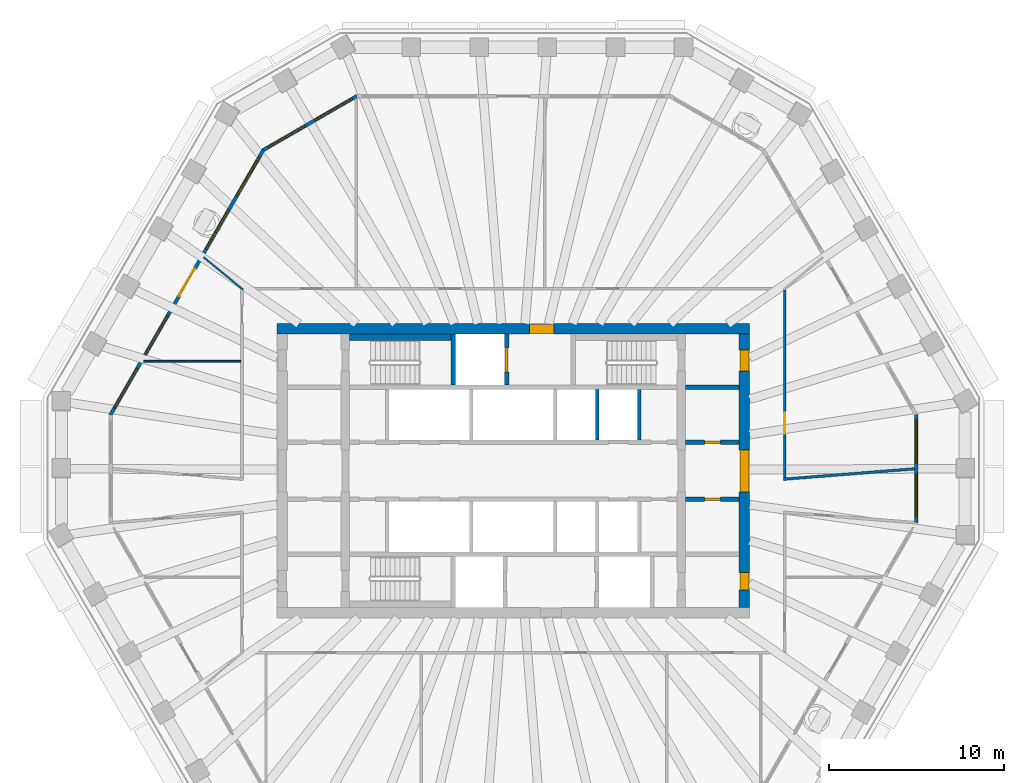
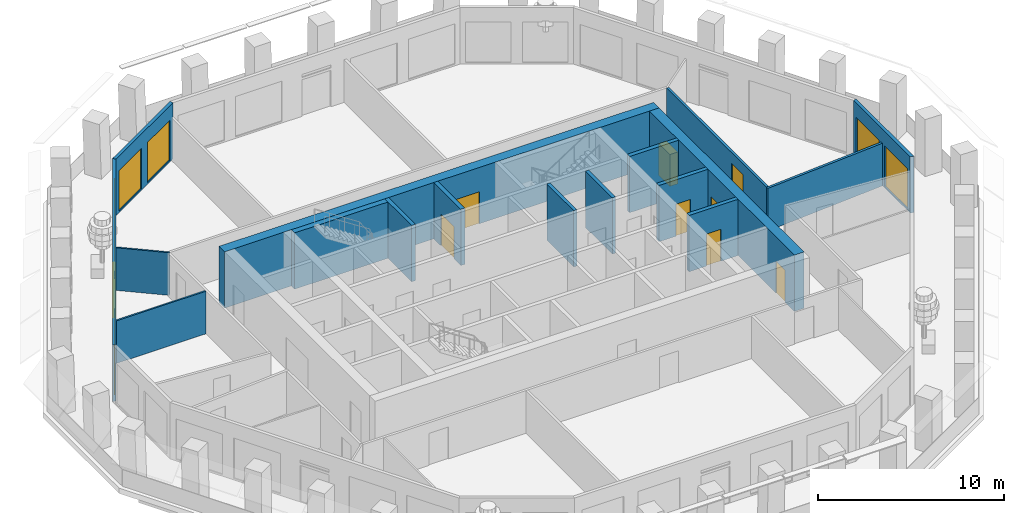
# One storey, part 6 of 12: 17 walls, 9 doors, 9 windows, 18 openings.
"""IFC4 building model written with IfcOpenShell, lengths in metres."""

from ifc_helpers import new_model, si_unit, direction, frame, frame_2d, origin, place, context, subcontext, project, spatial, polyline, rectangle, outline, extrude, material, layer, layer_set, type_object, element, fill, save


model = new_model("IFC4")

# Units and contexts
model_context = context("Model", 3, precision=1e-05, world=origin(), true_north=direction((0.0, 1.0)))
body_context = subcontext(model_context, "Body", "Model", "MODEL_VIEW")
ifc_project = project(units=[si_unit("LENGTHUNIT", "METRE"), si_unit("AREAUNIT", "SQUARE_METRE"), si_unit("VOLUMEUNIT", "CUBIC_METRE"), si_unit("PLANEANGLEUNIT", "RADIAN"), si_unit("MASSUNIT", "GRAM", prefix="KILO")], contexts=[model_context])

# Site, building, storey
site_placement = place(None, origin())
site = spatial("IfcSite", under=ifc_project, at=site_placement, CompositionType="ELEMENT")
building_placement = place(site_placement, origin())
building = spatial("IfcBuilding", under=site, at=building_placement, Name="Frailejon Research Tower", CompositionType="ELEMENT")
storey_placement = place(building_placement, frame((0.0, 0.0, 215.39990234375)))
storey = spatial("IfcBuildingStorey", under=building, at=storey_placement, Name="L46", CompositionType="ELEMENT", Elevation=215.39990234375)

# Wall, opening, door
ifc_material_1 = material(Name="Concrete C60/75", Category="concrete")
ifc_layer_1 = layer(ifc_material_1, 0.60009765625)
ifc_layer_set_1 = layer_set([ifc_layer_1], Name="Core shear wall 600 C60/75")
wall_type_1 = type_object("IfcWallType", Name="Core shear wall 600 C60/75", PredefinedType="SHEAR", material=ifc_layer_set_1)
wall_1_placement = place(storey_placement, frame((-13.5, 8.10009765625, 0.0), z_axis=(0.0, 0.0, 1.0), x_axis=(1.0, 0.0, 0.0)))
wall_1 = element("IfcWall", 1, at=wall_1_placement, inside=storey, type_object=wall_type_1, Name="Core shear wall", PredefinedType="SHEAR", context=body_context, shape_type="SweptSolid", body=[
    extrude(rectangle(XDim=27.0, YDim=0.60009765625, at=frame_2d((13.5, 0.0))), origin(), (0.0, 0.0, 1.0), 3.7001953125),
])
opening_1_placement = place(wall_1_placement, frame((14.425048828125, 0.0, 0.0)))
opening_1 = element("IfcOpeningElement", 2, at=opening_1_placement, cuts=wall_1, Name="Opening D9", PredefinedType="OPENING", context=body_context, shape_type="SweptSolid", body=[
    extrude(rectangle(XDim=1.39990234375, YDim=2.10009765625, at=frame_2d((0.699951171875, 1.050048828125))), frame((0.0, 0.31005859375, 0.0), z_axis=(0.0, -1.0, 0.0), x_axis=(1.0, 0.0, 0.0)), (0.0, 0.0, 1.0), 0.6201171875),
])
ifc_material_2 = material(Name="Steel", Category="steel")
door_type_1 = type_object("IfcDoorType", Name="Goods lobby door", OperationType="DOUBLE_DOOR_SINGLE_SWING", PredefinedType="DOOR", material=ifc_material_2)
door_1_placement = place(opening_1_placement, origin())
door_1 = element("IfcDoor", 3, at=door_1_placement, inside=storey, type_object=door_type_1, Name="Goods lobby door", OperationType="DOUBLE_DOOR_SINGLE_SWING", OverallHeight=2.10009765625, OverallWidth=1.39990234375, PredefinedType="DOOR", context=body_context, shape_type="SweptSolid", body=[
    extrude(rectangle(XDim=1.39990234375, YDim=2.10009765625, at=frame_2d((0.699951171875, 1.050048828125))), frame((0.0, 0.25, 0.0), z_axis=(0.0, -1.0, 0.0), x_axis=(1.0, 0.0, 0.0)), (0.0, 0.0, 1.0), 0.5),
])
fill(opening_1, door_1)

# Wall, openings, doors
wall_2_placement = place(storey_placement, frame((13.199951171875, -7.800048828125, 0.0), z_axis=(0.0, 0.0, 1.0), x_axis=(0.0, 1.0, 0.0)))
wall_2 = element("IfcWall", 4, at=wall_2_placement, inside=storey, type_object=wall_type_1, Name="Core shear wall", PredefinedType="SHEAR", context=body_context, shape_type="SweptSolid", body=[
    extrude(rectangle(XDim=15.60009765625, YDim=0.60009765625, at=frame_2d((7.800048828125, 0.0))), origin(), (0.0, 0.0, 1.0), 3.7001953125),
])
opening_2_placement = place(wall_2_placement, frame((6.60009765625, 0.0, 0.0)))
opening_2 = element("IfcOpeningElement", 5, at=opening_2_placement, cuts=wall_2, Name="Opening D2", PredefinedType="OPENING", context=body_context, shape_type="SweptSolid", body=[
    extrude(rectangle(XDim=2.39990234375, YDim=2.10009765625, at=frame_2d((1.199951171875, 1.050048828125))), frame((0.0, 0.31005859375, 0.0), z_axis=(0.0, -1.0, 0.0), x_axis=(1.0, 0.0, 0.0)), (0.0, 0.0, 1.0), 0.6201171875),
])
opening_3_placement = place(wall_2_placement, frame((13.5, 0.0, 0.0)))
opening_3 = element("IfcOpeningElement", 6, at=opening_3_placement, cuts=wall_2, Name="Opening D7", PredefinedType="OPENING", context=body_context, shape_type="SweptSolid", body=[
    extrude(rectangle(XDim=1.199951171875, YDim=2.10009765625, at=frame_2d((0.60009765625, 1.050048828125))), frame((0.0, 0.31005859375, 0.0), z_axis=(0.0, -1.0, 0.0), x_axis=(1.0, 0.0, 0.0)), (0.0, 0.0, 1.0), 0.6201171875),
])
opening_4_placement = place(wall_2_placement, frame((1.0, 0.0, 0.0)))
opening_4 = element("IfcOpeningElement", 7, at=opening_4_placement, cuts=wall_2, Name="Opening D4", PredefinedType="OPENING", context=body_context, shape_type="SweptSolid", body=[
    extrude(rectangle(XDim=1.0, YDim=2.10009765625, at=frame_2d((0.5, 1.050048828125))), frame((0.0, 0.31005859375, 0.0), z_axis=(0.0, -1.0, 0.0), x_axis=(1.0, 0.0, 0.0)), (0.0, 0.0, 1.0), 0.6201171875),
])
ifc_material_3 = material(Name="Steel", Category="steel")
door_type_2 = type_object("IfcDoorType", Name="Lobby double door", OperationType="DOUBLE_DOOR_SINGLE_SWING", PredefinedType="DOOR", material=ifc_material_3)
door_2_placement = place(opening_2_placement, origin())
door_2 = element("IfcDoor", 8, at=door_2_placement, inside=storey, type_object=door_type_2, Name="Lobby door", OperationType="DOUBLE_DOOR_SINGLE_SWING", OverallHeight=2.10009765625, OverallWidth=2.39990234375, PredefinedType="DOOR", context=body_context, shape_type="SweptSolid", body=[
    extrude(rectangle(XDim=2.39990234375, YDim=2.10009765625, at=frame_2d((1.199951171875, 1.050048828125))), frame((0.0, 0.25, 0.0), z_axis=(0.0, -1.0, 0.0), x_axis=(1.0, 0.0, 0.0)), (0.0, 0.0, 1.0), 0.5),
])
fill(opening_2, door_2)
ifc_material_4 = material(Name="Steel", Category="steel")
door_type_3 = type_object("IfcDoorType", Name="Service door", OperationType="SINGLE_SWING_LEFT", PredefinedType="DOOR", material=ifc_material_4)
door_3_placement = place(opening_4_placement, origin())
door_3 = element("IfcDoor", 9, at=door_3_placement, inside=storey, type_object=door_type_3, Name="Store door", OperationType="SINGLE_SWING_LEFT", OverallHeight=2.10009765625, OverallWidth=1.0, PredefinedType="DOOR", context=body_context, shape_type="SweptSolid", body=[
    extrude(rectangle(XDim=1.0, YDim=2.10009765625, at=frame_2d((0.5, 1.050048828125))), frame((0.0, 0.25, 0.0), z_axis=(0.0, -1.0, 0.0), x_axis=(1.0, 0.0, 0.0)), (0.0, 0.0, 1.0), 0.5),
])
fill(opening_4, door_3)
ifc_material_5 = material(Name="Steel", Category="steel")
door_type_4 = type_object("IfcDoorType", Name="Stair exit door", OperationType="SINGLE_SWING_LEFT", PredefinedType="DOOR", material=ifc_material_5)
door_4_placement = place(opening_3_placement, origin())
door_4 = element("IfcDoor", 10, at=door_4_placement, inside=storey, type_object=door_type_4, Name="Stair exit door ST3", OperationType="SINGLE_SWING_LEFT", OverallHeight=2.10009765625, OverallWidth=1.199951171875, PredefinedType="DOOR", context=body_context, shape_type="SweptSolid", body=[
    extrude(rectangle(XDim=1.199951171875, YDim=2.10009765625, at=frame_2d((0.60009765625, 1.050048828125))), frame((0.0, 0.25, 0.0), z_axis=(0.0, -1.0, 0.0), x_axis=(1.0, 0.0, 0.0)), (0.0, 0.0, 1.0), 0.5),
])
fill(opening_3, door_4)

# Wall, opening, door
ifc_material_6 = material(Name="Gypsum board and masonry partition", Category="masonry")
ifc_layer_2 = layer(ifc_material_6, 0.14990234375)
ifc_layer_set_2 = layer_set([ifc_layer_2], Name="Corridor wall EI 60, gypsum on steel studs 150")
wall_type_2 = type_object("IfcWallType", Name="Corridor wall EI 60, gypsum on steel studs 150", PredefinedType="PARTITIONING", material=ifc_layer_set_2)
wall_3_placement = place(storey_placement, frame((15.5, -0.40087890625, 0.0), z_axis=(0.0, 0.0, 1.0), x_axis=(0.0, 1.0, 0.0)))
wall_3 = element("IfcWall", 11, at=wall_3_placement, inside=storey, type_object=wall_type_2, Name="T:IW:L46:002", PredefinedType="PARTITIONING", context=body_context, shape_type="SweptSolid", body=[
    extrude(rectangle(XDim=10.725830078125, YDim=0.14990234375, at=frame_2d((5.36279296875, 0.0))), origin(), (0.0, 0.0, 1.0), 2.800048828125),
])
opening_5_placement = place(wall_3_placement, frame((2.51904296875, 0.0, 0.0)))
opening_5 = element("IfcOpeningElement", 12, at=opening_5_placement, cuts=wall_3, Name="Opening D1948", PredefinedType="OPENING", context=body_context, shape_type="SweptSolid", body=[
    extrude(rectangle(XDim=1.199951171875, YDim=2.10009765625, at=frame_2d((0.60009765625, 1.050048828125))), frame((0.0, 0.0849609375, 0.0), z_axis=(0.0, -1.0, 0.0), x_axis=(1.0, 0.0, 0.0)), (0.0, 0.0, 1.0), 0.169921875),
])
ifc_material_7 = material(Name="Timber door leaf", Category="wood")
door_type_5 = type_object("IfcDoorType", Name="Door single leaf, timber, steel frame 1200", OperationType="NOTDEFINED", PredefinedType="DOOR", material=ifc_material_7)
door_5_placement = place(opening_5_placement, origin())
door_5 = element("IfcDoor", 13, at=door_5_placement, inside=storey, type_object=door_type_5, Name="D1948", OperationType="DOUBLE_DOOR_SINGLE_SWING", OverallHeight=2.10009765625, OverallWidth=1.199951171875, PredefinedType="DOOR", context=body_context, shape_type="SweptSolid", body=[
    extrude(rectangle(XDim=1.199951171875, YDim=2.10009765625, at=frame_2d((0.60009765625, 1.050048828125))), frame((0.0, 0.02490234375, 0.0), z_axis=(0.0, -1.0, 0.0), x_axis=(1.0, 0.0, 0.0)), (0.0, 0.0, 1.0), 0.050048828125),
])
fill(opening_5, door_5)

# Walls
wall_4_placement = place(storey_placement, frame((15.42529296875, -0.481689453125, 0.0), z_axis=(0.0, 0.0, 1.0), x_axis=(0.996888805711, 0.078820739965, 0.0)))
element("IfcWall", 14, at=wall_4_placement, inside=storey, type_object=wall_type_2, Name="T:IW:L46:009", PredefinedType="PARTITIONING", context=body_context, shape_type="SweptSolid", body=[
    extrude(rectangle(XDim=7.505126953125, YDim=0.14990234375, at=frame_2d((3.75244140625, 0.0))), origin(), (0.0, 0.0, 1.0), 2.800048828125),
])
ifc_material_8 = material(Name="Gypsum board and masonry partition", Category="masonry")
ifc_layer_3 = layer(ifc_material_8, 0.10009765625)
ifc_layer_set_3 = layer_set([ifc_layer_3], Name="Partition, gypsum on steel studs 100")
wall_type_3 = type_object("IfcWallType", Name="Partition, gypsum on steel studs 100", PredefinedType="PARTITIONING", material=ifc_layer_set_3)
wall_5_placement = place(storey_placement, frame((-17.696044921875, 12.201171875, 0.0), z_axis=(0.0, 0.0, 1.0), x_axis=(0.773188128528, -0.634176724504, 0.0)))
element("IfcWall", 15, at=wall_5_placement, inside=storey, type_object=wall_type_3, Name="T:IW:L46:016", PredefinedType="PARTITIONING", context=body_context, shape_type="SweptSolid", body=[
    extrude(rectangle(XDim=2.915283203125, YDim=0.10009765625, at=frame_2d((1.45751953125, 0.0))), origin(), (0.0, 0.0, 1.0), 2.800048828125),
])
wall_6_placement = place(storey_placement, frame((-21.12451171875, 6.262451171875, 0.0), z_axis=(0.0, 0.0, 1.0), x_axis=(1.0, 0.0, 0.0)))
element("IfcWall", 16, at=wall_6_placement, inside=storey, type_object=wall_type_3, Name="T:IW:L46:017", PredefinedType="PARTITIONING", context=body_context, shape_type="SweptSolid", body=[
    extrude(rectangle(XDim=5.549560546875, YDim=0.10009765625, at=frame_2d((2.77490234375, 0.0))), origin(), (0.0, 0.0, 1.0), 2.800048828125),
])
ifc_material_9 = material(Name="Concrete C60/75", Category="concrete")
ifc_layer_4 = layer(ifc_material_9, 0.199951171875)
ifc_layer_set_4 = layer_set([ifc_layer_4], Name="Shaft wall 200 C60/75")
wall_type_4 = type_object("IfcWallType", Name="Shaft wall 200 C60/75", PredefinedType="SOLIDWALL", material=ifc_layer_set_4)
for number, where, z_axis, x_axis, name in (
    (17, (4.800048828125, 1.75, 0.0), (0.0, 0.0, 1.0), (0.0, 1.0, 0.0), "Shaft wall"),
    (18, (7.199951171875, 1.75, 0.0), (0.0, 0.0, 1.0), (0.0, 1.0, 0.0), "Shaft wall"),
):
    element("IfcWall", number, at=place(storey_placement, frame(where, z_axis=z_axis, x_axis=x_axis)), inside=storey, type_object=wall_type_4, Name=name, PredefinedType="SOLIDWALL", context=body_context, shape_type="SweptSolid", body=[
        extrude(rectangle(XDim=2.89990234375, YDim=0.199951171875, at=frame_2d((1.449951171875, 0.0))), origin(), (0.0, 0.0, 1.0), 3.7001953125),
    ])

# Wall, opening, door
ifc_material_10 = material(Name="Concrete C60/75", Category="concrete")
ifc_layer_5 = layer(ifc_material_10, 0.25)
ifc_layer_set_5 = layer_set([ifc_layer_5], Name="Shaft wall 250 C60/75")
wall_type_5 = type_object("IfcWallType", Name="Shaft wall 250 C60/75", PredefinedType="SOLIDWALL", material=ifc_layer_set_5)
wall_7_placement = place(storey_placement, frame((9.85009765625, 1.625, 0.0), z_axis=(0.0, 0.0, 1.0), x_axis=(1.0, 0.0, 0.0)))
wall_7 = element("IfcWall", 19, at=wall_7_placement, inside=storey, type_object=wall_type_5, Name="Shaft wall", PredefinedType="SOLIDWALL", context=body_context, shape_type="SweptSolid", body=[
    extrude(rectangle(XDim=3.0498046875, YDim=0.25, at=frame_2d((1.52490234375, 0.0))), origin(), (0.0, 0.0, 1.0), 3.7001953125),
])
opening_6_placement = place(wall_7_placement, frame((1.074951171875, 0.0, 0.0)))
opening_6 = element("IfcOpeningElement", 20, at=opening_6_placement, cuts=wall_7, Name="Opening D8", PredefinedType="OPENING", context=body_context, shape_type="SweptSolid", body=[
    extrude(rectangle(XDim=0.89990234375, YDim=2.10009765625, at=frame_2d((0.449951171875, 1.050048828125))), frame((0.0, 0.135009765625, 0.0), z_axis=(0.0, -1.0, 0.0), x_axis=(1.0, 0.0, 0.0)), (0.0, 0.0, 1.0), 0.27001953125),
])
ifc_material_11 = material(Name="Steel", Category="steel")
door_type_6 = type_object("IfcDoorType", Name="Core room door", OperationType="SINGLE_SWING_LEFT", PredefinedType="DOOR", material=ifc_material_11)
door_6_placement = place(opening_6_placement, origin())
door_6 = element("IfcDoor", 21, at=door_6_placement, inside=storey, type_object=door_type_6, Name="Room door", OperationType="SINGLE_SWING_LEFT", OverallHeight=2.10009765625, OverallWidth=0.89990234375, PredefinedType="DOOR", context=body_context, shape_type="SweptSolid", body=[
    extrude(rectangle(XDim=0.89990234375, YDim=2.10009765625, at=frame_2d((0.449951171875, 1.050048828125))), frame((0.0, 0.074951171875, 0.0), z_axis=(0.0, -1.0, 0.0), x_axis=(1.0, 0.0, 0.0)), (0.0, 0.0, 1.0), 0.14990234375),
])
fill(opening_6, door_6)

# Wall
wall_8_placement = place(storey_placement, frame((9.85009765625, 4.77490234375, 0.0), z_axis=(0.0, 0.0, 1.0), x_axis=(1.0, 0.0, 0.0)))
element("IfcWall", 22, at=wall_8_placement, inside=storey, type_object=wall_type_5, Name="Shaft wall", PredefinedType="SOLIDWALL", context=body_context, shape_type="SweptSolid", body=[
    extrude(rectangle(XDim=3.0498046875, YDim=0.25, at=frame_2d((1.52490234375, 0.0))), origin(), (0.0, 0.0, 1.0), 3.7001953125),
])

# Wall, opening, door
wall_9_placement = place(storey_placement, frame((9.85009765625, -1.625, 0.0), z_axis=(0.0, 0.0, 1.0), x_axis=(1.0, 0.0, 0.0)))
wall_9 = element("IfcWall", 23, at=wall_9_placement, inside=storey, type_object=wall_type_5, Name="Shaft wall", PredefinedType="SOLIDWALL", context=body_context, shape_type="SweptSolid", body=[
    extrude(rectangle(XDim=3.0498046875, YDim=0.25, at=frame_2d((1.52490234375, 0.0))), origin(), (0.0, 0.0, 1.0), 3.7001953125),
])
opening_7_placement = place(wall_9_placement, frame((1.074951171875, 0.0, 0.0)))
opening_7 = element("IfcOpeningElement", 24, at=opening_7_placement, cuts=wall_9, Name="Opening D8", PredefinedType="OPENING", context=body_context, shape_type="SweptSolid", body=[
    extrude(rectangle(XDim=0.89990234375, YDim=2.10009765625, at=frame_2d((0.449951171875, 1.050048828125))), frame((0.0, 0.135009765625, 0.0), z_axis=(0.0, -1.0, 0.0), x_axis=(1.0, 0.0, 0.0)), (0.0, 0.0, 1.0), 0.27001953125),
])
door_7_placement = place(opening_7_placement, origin())
door_7 = element("IfcDoor", 25, at=door_7_placement, inside=storey, type_object=door_type_6, Name="Room door", OperationType="SINGLE_SWING_LEFT", OverallHeight=2.10009765625, OverallWidth=0.89990234375, PredefinedType="DOOR", context=body_context, shape_type="SweptSolid", body=[
    extrude(rectangle(XDim=0.89990234375, YDim=2.10009765625, at=frame_2d((0.449951171875, 1.050048828125))), frame((0.0, 0.074951171875, 0.0), z_axis=(0.0, -1.0, 0.0), x_axis=(1.0, 0.0, 0.0)), (0.0, 0.0, 1.0), 0.14990234375),
])
fill(opening_7, door_7)

# Wall
wall_10_placement = place(storey_placement, frame((-3.425048828125, 4.89990234375, 0.0), z_axis=(0.0, 0.0, 1.0), x_axis=(0.0, 1.0, 0.0)))
element("IfcWall", 26, at=wall_10_placement, inside=storey, type_object=wall_type_5, Name="Shaft wall", PredefinedType="SOLIDWALL", context=body_context, shape_type="SweptSolid", body=[
    extrude(rectangle(XDim=2.900146484375, YDim=0.25, at=frame_2d((1.4501953125, 0.0))), origin(), (0.0, 0.0, 1.0), 3.7001953125),
])

# Wall, opening, door
wall_11_placement = place(storey_placement, frame((-0.375, 4.89990234375, 0.0), z_axis=(0.0, 0.0, 1.0), x_axis=(0.0, 1.0, 0.0)))
wall_11 = element("IfcWall", 27, at=wall_11_placement, inside=storey, type_object=wall_type_5, Name="Shaft wall", PredefinedType="SOLIDWALL", context=body_context, shape_type="SweptSolid", body=[
    extrude(rectangle(XDim=2.900146484375, YDim=0.25, at=frame_2d((1.4501953125, 0.0))), origin(), (0.0, 0.0, 1.0), 3.7001953125),
])
opening_8_placement = place(wall_11_placement, frame((0.75, 0.0, 0.0)))
opening_8 = element("IfcOpeningElement", 28, at=opening_8_placement, cuts=wall_11, Name="Opening LD2", PredefinedType="OPENING", context=body_context, shape_type="SweptSolid", body=[
    extrude(rectangle(XDim=1.39990234375, YDim=2.10009765625, at=frame_2d((0.699951171875, 1.050048828125))), frame((0.0, 0.135009765625, 0.0), z_axis=(0.0, -1.0, 0.0), x_axis=(1.0, 0.0, 0.0)), (0.0, 0.0, 1.0), 0.27001953125),
])
ifc_material_12 = material(Name="Stainless steel", Category="steel")
door_type_7 = type_object("IfcDoorType", Name="Goods landing door", OperationType="DOUBLE_DOOR_SLIDING", PredefinedType="DOOR", material=ifc_material_12)
door_8_placement = place(opening_8_placement, origin())
door_8 = element("IfcDoor", 29, at=door_8_placement, inside=storey, type_object=door_type_7, Name="Lift landing door", OperationType="DOUBLE_DOOR_SLIDING", OverallHeight=2.10009765625, OverallWidth=1.39990234375, PredefinedType="DOOR", context=body_context, shape_type="SweptSolid", body=[
    extrude(rectangle(XDim=1.39990234375, YDim=2.10009765625, at=frame_2d((0.699951171875, 1.050048828125))), frame((0.0, 0.074951171875, 0.0), z_axis=(0.0, -1.0, 0.0), x_axis=(1.0, 0.0, 0.0)), (0.0, 0.0, 1.0), 0.14990234375),
])
fill(opening_8, door_8)

# Wall
ifc_material_13 = material(Name="Concrete C60/75", Category="concrete")
ifc_layer_6 = layer(ifc_material_13, 0.35009765625)
ifc_layer_set_6 = layer_set([ifc_layer_6], Name="Shaft wall 350 C60/75")
wall_type_6 = type_object("IfcWallType", Name="Shaft wall 350 C60/75", PredefinedType="SOLIDWALL", material=ifc_layer_set_6)
wall_12_placement = place(storey_placement, frame((-9.35009765625, 7.625, 0.0), z_axis=(0.0, 0.0, 1.0), x_axis=(1.0, 0.0, 0.0)))
element("IfcWall", 30, at=wall_12_placement, inside=storey, type_object=wall_type_6, Name="Shaft wall", PredefinedType="SOLIDWALL", context=body_context, shape_type="SweptSolid", body=[
    extrude(rectangle(XDim=5.800048828125, YDim=0.35009765625, at=frame_2d((2.89990234375, 0.0))), origin(), (0.0, 0.0, 1.0), 3.7001953125),
])

# Wall, openings, windows
ifc_material_14 = material(Name="Concrete C40/50 precast window wall panel", Category="concrete")
ifc_layer_7 = layer(ifc_material_14, 0.199951171875)
ifc_layer_set_7 = layer_set([ifc_layer_7], Name="Window wall 200")
wall_type_7 = type_object("IfcWallType", Name="Window wall 200", PredefinedType="SOLIDWALL", material=ifc_layer_set_7)
wall_13_placement = place(storey_placement, frame((23.007080078125, -2.95068359375, 0.0), z_axis=(0.0, 0.0, 1.0), x_axis=(0.0, 1.0, 0.0)))
wall_13 = element("IfcWall", 31, at=wall_13_placement, inside=storey, type_object=wall_type_7, Name="Exterior wall L46", PredefinedType="SOLIDWALL", context=body_context, shape_type="SweptSolid", body=[
    extrude(outline(polyline([(-0.02685546875, -0.10009765625), (1.007568359375, -0.10009765625), (2.0419921875, -0.10009765625), (3.076416015625, -0.10009765625), (4.11083984375, -0.10009765625), (5.145263671875, -0.10009765625), (6.1796875, -0.10009765625), (6.1259765625, 0.10009765625), (5.109375, 0.10009765625), (4.093017578125, 0.10009765625), (3.076416015625, 0.10009765625), (2.059814453125, 0.10009765625), (1.04345703125, 0.10009765625), (0.02685546875, 0.10009765625), (-0.02685546875, -0.10009765625)])), origin(), (0.0, 0.0, 1.0), 3.7001953125),
])
opening_9_placement = place(wall_13_placement, frame((0.313232421875, 0.0, 0.10009765625)))
opening_9 = element("IfcOpeningElement", 32, at=opening_9_placement, cuts=wall_13, Name="Opening W17", PredefinedType="OPENING", context=body_context, shape_type="SweptSolid", body=[
    extrude(rectangle(XDim=2.449951171875, YDim=2.64990234375, at=frame_2d((1.22509765625, 1.324951171875))), frame((0.0, 0.10986328125, 0.0), z_axis=(0.0, -1.0, 0.0), x_axis=(1.0, 0.0, 0.0)), (0.0, 0.0, 1.0), 0.219970703125),
])
opening_10_placement = place(wall_13_placement, frame((3.3896484375, 0.0, 0.10009765625)))
opening_10 = element("IfcOpeningElement", 33, at=opening_10_placement, cuts=wall_13, Name="Opening W17", PredefinedType="OPENING", context=body_context, shape_type="SweptSolid", body=[
    extrude(rectangle(XDim=2.449951171875, YDim=2.64990234375, at=frame_2d((1.22509765625, 1.324951171875))), frame((0.0, 0.10986328125, 0.0), z_axis=(0.0, -1.0, 0.0), x_axis=(1.0, 0.0, 0.0)), (0.0, 0.0, 1.0), 0.219970703125),
])
ifc_material_15 = material(Name="Aluminium framed double glazing", Category="aluminium")
window_type_1 = type_object("IfcWindowType", Name="Window 2450x2650", PartitioningType="SINGLE_PANEL", PredefinedType="WINDOW", material=ifc_material_15)
window_1_placement = place(opening_9_placement, origin())
window_1 = element("IfcWindow", 34, at=window_1_placement, inside=storey, type_object=window_type_1, Name="Window L46", OverallHeight=2.64990234375, OverallWidth=2.449951171875, PartitioningType="SINGLE_PANEL", PredefinedType="WINDOW", context=body_context, shape_type="SweptSolid", body=[
    extrude(rectangle(XDim=2.449951171875, YDim=2.64990234375, at=frame_2d((1.22509765625, 1.324951171875))), frame((0.0, 0.030029296875, 0.0), z_axis=(0.0, -1.0, 0.0), x_axis=(1.0, 0.0, 0.0)), (0.0, 0.0, 1.0), 0.06005859375),
])
fill(opening_9, window_1)
window_2_placement = place(opening_10_placement, origin())
window_2 = element("IfcWindow", 35, at=window_2_placement, inside=storey, type_object=window_type_1, Name="Window L46", OverallHeight=2.64990234375, OverallWidth=2.449951171875, PartitioningType="SINGLE_PANEL", PredefinedType="WINDOW", context=body_context, shape_type="SweptSolid", body=[
    extrude(rectangle(XDim=2.449951171875, YDim=2.64990234375, at=frame_2d((1.22509765625, 1.324951171875))), frame((0.0, 0.030029296875, 0.0), z_axis=(0.0, -1.0, 0.0), x_axis=(1.0, 0.0, 0.0)), (0.0, 0.0, 1.0), 0.06005859375),
])
fill(opening_10, window_2)

wall_14_placement = place(storey_placement, frame((-8.947998046875, 21.39990234375, 0.0), z_axis=(0.0, 0.0, 1.0), x_axis=(-0.866029647142, -0.499992650217, 0.0)))
wall_14 = element("IfcWall", 36, at=wall_14_placement, inside=storey, type_object=wall_type_7, Name="Exterior wall L46", PredefinedType="SOLIDWALL", context=body_context, shape_type="SweptSolid", body=[
    extrude(outline(polyline([(-0.02685546875, -0.10009765625), (1.007568359375, -0.10009765625), (2.0419921875, -0.10009765625), (3.076416015625, -0.10009765625), (4.11083984375, -0.10009765625), (5.145263671875, -0.10009765625), (6.1796875, -0.10009765625), (6.1259765625, 0.10009765625), (5.109375, 0.10009765625), (4.093017578125, 0.10009765625), (3.076416015625, 0.10009765625), (2.059814453125, 0.10009765625), (1.04345703125, 0.10009765625), (0.02685546875, 0.10009765625), (-0.02685546875, -0.10009765625)])), origin(), (0.0, 0.0, 1.0), 3.7001953125),
])
opening_11_placement = place(wall_14_placement, frame((0.313232421875, 0.0, 0.10009765625)))
opening_11 = element("IfcOpeningElement", 37, at=opening_11_placement, cuts=wall_14, Name="Opening W17", PredefinedType="OPENING", context=body_context, shape_type="SweptSolid", body=[
    extrude(rectangle(XDim=2.449951171875, YDim=2.64990234375, at=frame_2d((1.22509765625, 1.324951171875))), frame((0.0, 0.10986328125, 0.0), z_axis=(0.0, -1.0, 0.0), x_axis=(1.0, 0.0, 0.0)), (0.0, 0.0, 1.0), 0.219970703125),
])
opening_12_placement = place(wall_14_placement, frame((3.3896484375, 0.0, 0.10009765625)))
opening_12 = element("IfcOpeningElement", 38, at=opening_12_placement, cuts=wall_14, Name="Opening W17", PredefinedType="OPENING", context=body_context, shape_type="SweptSolid", body=[
    extrude(rectangle(XDim=2.449951171875, YDim=2.64990234375, at=frame_2d((1.22509765625, 1.324951171875))), frame((0.0, 0.10986328125, 0.0), z_axis=(0.0, -1.0, 0.0), x_axis=(1.0, 0.0, 0.0)), (0.0, 0.0, 1.0), 0.219970703125),
])
window_3_placement = place(opening_11_placement, origin())
window_3 = element("IfcWindow", 39, at=window_3_placement, inside=storey, type_object=window_type_1, Name="Window L46", OverallHeight=2.64990234375, OverallWidth=2.449951171875, PartitioningType="SINGLE_PANEL", PredefinedType="WINDOW", context=body_context, shape_type="SweptSolid", body=[
    extrude(rectangle(XDim=2.449951171875, YDim=2.64990234375, at=frame_2d((1.22509765625, 1.324951171875))), frame((0.0, 0.030029296875, 0.0), z_axis=(0.0, -1.0, 0.0), x_axis=(1.0, 0.0, 0.0)), (0.0, 0.0, 1.0), 0.06005859375),
])
fill(opening_11, window_3)
window_4_placement = place(opening_12_placement, origin())
window_4 = element("IfcWindow", 40, at=window_4_placement, inside=storey, type_object=window_type_1, Name="Window L46", OverallHeight=2.64990234375, OverallWidth=2.449951171875, PartitioningType="SINGLE_PANEL", PredefinedType="WINDOW", context=body_context, shape_type="SweptSolid", body=[
    extrude(rectangle(XDim=2.449951171875, YDim=2.64990234375, at=frame_2d((1.22509765625, 1.324951171875))), frame((0.0, 0.030029296875, 0.0), z_axis=(0.0, -1.0, 0.0), x_axis=(1.0, 0.0, 0.0)), (0.0, 0.0, 1.0), 0.06005859375),
])
fill(opening_12, window_4)

# Wall, openings, door, windows
wall_15_placement = place(storey_placement, frame((-14.276611328125, 18.323486328125, 0.0), z_axis=(0.0, 0.0, 1.0), x_axis=(-0.500006883229, -0.866021429714, 0.0)))
wall_15 = element("IfcWall", 41, at=wall_15_placement, inside=storey, type_object=wall_type_7, Name="Exterior wall L46", PredefinedType="SOLIDWALL", context=body_context, shape_type="SweptSolid", body=[
    extrude(outline(polyline([(-0.02685546875, -0.10009765625), (1.00341796875, -0.10009765625), (2.03369140625, -0.10009765625), (3.06396484375, -0.10009765625), (4.09423828125, -0.10009765625), (5.12451171875, -0.10009765625), (6.15478515625, -0.10009765625), (7.18505859375, -0.10009765625), (8.21533203125, -0.10009765625), (9.245361328125, -0.10009765625), (10.275634765625, -0.10009765625), (11.305908203125, -0.10009765625), (12.336181640625, -0.10009765625), (13.366455078125, -0.10009765625), (14.396728515625, -0.10009765625), (15.427001953125, -0.10009765625), (16.457275390625, -0.10009765625), (17.487548828125, -0.10009765625), (17.433837890625, 0.10009765625), (16.409912109375, 0.10009765625), (15.385986328125, 0.10009765625), (14.362060546875, 0.10009765625), (13.338134765625, 0.10009765625), (12.314208984375, 0.10009765625), (11.290283203125, 0.10009765625), (10.266357421875, 0.10009765625), (9.242431640625, 0.10009765625), (8.21826171875, 0.10009765625), (7.1943359375, 0.10009765625), (6.17041015625, 0.10009765625), (5.146484375, 0.10009765625), (4.12255859375, 0.10009765625), (3.0986328125, 0.10009765625), (2.07470703125, 0.10009765625), (1.05078125, 0.10009765625), (0.02685546875, 0.10009765625), (-0.02685546875, -0.10009765625)])), origin(), (0.0, 0.0, 1.0), 3.7001953125),
])
opening_13_placement = place(wall_15_placement, frame((0.446044921875, 0.0, 0.10009765625)))
opening_13 = element("IfcOpeningElement", 42, at=opening_13_placement, cuts=wall_15, Name="Opening W18", PredefinedType="OPENING", context=body_context, shape_type="SweptSolid", body=[
    extrude(rectangle(XDim=2.60009765625, YDim=2.64990234375, at=frame_2d((1.300048828125, 1.324951171875))), frame((0.0, 0.10986328125, 0.0), z_axis=(0.0, -1.0, 0.0), x_axis=(1.0, 0.0, 0.0)), (0.0, 0.0, 1.0), 0.219970703125),
])
opening_14_placement = place(wall_15_placement, frame((3.938232421875, 0.0, 0.10009765625)))
opening_14 = element("IfcOpeningElement", 43, at=opening_14_placement, cuts=wall_15, Name="Opening W18", PredefinedType="OPENING", context=body_context, shape_type="SweptSolid", body=[
    extrude(rectangle(XDim=2.60009765625, YDim=2.64990234375, at=frame_2d((1.300048828125, 1.324951171875))), frame((0.0, 0.10986328125, 0.0), z_axis=(0.0, -1.0, 0.0), x_axis=(1.0, 0.0, 0.0)), (0.0, 0.0, 1.0), 0.219970703125),
])
opening_15_placement = place(wall_15_placement, frame((7.830322265625, 0.0, 0.0)))
opening_15 = element("IfcOpeningElement", 44, at=opening_15_placement, cuts=wall_15, Name="Opening LG46-3", PredefinedType="OPENING", context=body_context, shape_type="SweptSolid", body=[
    extrude(rectangle(XDim=1.800048828125, YDim=2.39990234375, at=frame_2d((0.89990234375, 1.199951171875))), frame((0.0, 0.10986328125, 0.0), z_axis=(0.0, -1.0, 0.0), x_axis=(1.0, 0.0, 0.0)), (0.0, 0.0, 1.0), 0.219970703125),
])
opening_16_placement = place(wall_15_placement, frame((7.830322265625, 0.0, 2.550048828125)))
opening_16 = element("IfcOpeningElement", 45, at=opening_16_placement, cuts=wall_15, Name="Opening W19", PredefinedType="OPENING", context=body_context, shape_type="SweptSolid", body=[
    extrude(rectangle(XDim=1.800048828125, YDim=0.199951171875, at=frame_2d((0.89990234375, 0.10009765625))), frame((0.0, 0.10986328125, 0.0), z_axis=(0.0, -1.0, 0.0), x_axis=(1.0, 0.0, 0.0)), (0.0, 0.0, 1.0), 0.219970703125),
])
opening_17_placement = place(wall_15_placement, frame((10.922607421875, 0.0, 0.10009765625)))
opening_17 = element("IfcOpeningElement", 46, at=opening_17_placement, cuts=wall_15, Name="Opening W18", PredefinedType="OPENING", context=body_context, shape_type="SweptSolid", body=[
    extrude(rectangle(XDim=2.60009765625, YDim=2.64990234375, at=frame_2d((1.300048828125, 1.324951171875))), frame((0.0, 0.10986328125, 0.0), z_axis=(0.0, -1.0, 0.0), x_axis=(1.0, 0.0, 0.0)), (0.0, 0.0, 1.0), 0.219970703125),
])
opening_18_placement = place(wall_15_placement, frame((14.41455078125, 0.0, 0.10009765625)))
opening_18 = element("IfcOpeningElement", 47, at=opening_18_placement, cuts=wall_15, Name="Opening W18", PredefinedType="OPENING", context=body_context, shape_type="SweptSolid", body=[
    extrude(rectangle(XDim=2.60009765625, YDim=2.64990234375, at=frame_2d((1.300048828125, 1.324951171875))), frame((0.0, 0.10986328125, 0.0), z_axis=(0.0, -1.0, 0.0), x_axis=(1.0, 0.0, 0.0)), (0.0, 0.0, 1.0), 0.219970703125),
])
ifc_material_16 = material(Name="Aluminium framed glazed door leaf", Category="aluminium")
door_type_8 = type_object("IfcDoorType", Name="Loggia door 1800x2400", OperationType="DOUBLE_DOOR_SINGLE_SWING", PredefinedType="DOOR", material=ifc_material_16)
door_9_placement = place(opening_15_placement, origin())
door_9 = element("IfcDoor", 48, at=door_9_placement, inside=storey, type_object=door_type_8, Name="Door LG46-3", OperationType="DOUBLE_DOOR_SINGLE_SWING", OverallHeight=2.39990234375, OverallWidth=1.800048828125, PredefinedType="DOOR", context=body_context, shape_type="SweptSolid", body=[
    extrude(rectangle(XDim=1.800048828125, YDim=2.39990234375, at=frame_2d((0.89990234375, 1.199951171875))), frame((0.0, 0.02490234375, 0.0), z_axis=(0.0, -1.0, 0.0), x_axis=(1.0, 0.0, 0.0)), (0.0, 0.0, 1.0), 0.050048828125),
])
fill(opening_15, door_9)
ifc_material_17 = material(Name="Aluminium framed double glazing", Category="aluminium")
window_type_2 = type_object("IfcWindowType", Name="Window 1800x200", PartitioningType="SINGLE_PANEL", PredefinedType="WINDOW", material=ifc_material_17)
window_5_placement = place(opening_16_placement, origin())
window_5 = element("IfcWindow", 49, at=window_5_placement, inside=storey, type_object=window_type_2, Name="Window L46", OverallHeight=0.199951171875, OverallWidth=1.800048828125, PartitioningType="SINGLE_PANEL", PredefinedType="WINDOW", context=body_context, shape_type="SweptSolid", body=[
    extrude(rectangle(XDim=1.800048828125, YDim=0.199951171875, at=frame_2d((0.89990234375, 0.10009765625))), frame((0.0, 0.030029296875, 0.0), z_axis=(0.0, -1.0, 0.0), x_axis=(1.0, 0.0, 0.0)), (0.0, 0.0, 1.0), 0.06005859375),
])
fill(opening_16, window_5)
ifc_material_18 = material(Name="Aluminium framed double glazing", Category="aluminium")
window_type_3 = type_object("IfcWindowType", Name="Window 2600x2650", PartitioningType="SINGLE_PANEL", PredefinedType="WINDOW", material=ifc_material_18)
window_6_placement = place(opening_13_placement, origin())
window_6 = element("IfcWindow", 50, at=window_6_placement, inside=storey, type_object=window_type_3, Name="Window L46", OverallHeight=2.64990234375, OverallWidth=2.60009765625, PartitioningType="SINGLE_PANEL", PredefinedType="WINDOW", context=body_context, shape_type="SweptSolid", body=[
    extrude(rectangle(XDim=2.60009765625, YDim=2.64990234375, at=frame_2d((1.300048828125, 1.324951171875))), frame((0.0, 0.030029296875, 0.0), z_axis=(0.0, -1.0, 0.0), x_axis=(1.0, 0.0, 0.0)), (0.0, 0.0, 1.0), 0.06005859375),
])
fill(opening_13, window_6)
window_7_placement = place(opening_14_placement, origin())
window_7 = element("IfcWindow", 51, at=window_7_placement, inside=storey, type_object=window_type_3, Name="Window L46", OverallHeight=2.64990234375, OverallWidth=2.60009765625, PartitioningType="SINGLE_PANEL", PredefinedType="WINDOW", context=body_context, shape_type="SweptSolid", body=[
    extrude(rectangle(XDim=2.60009765625, YDim=2.64990234375, at=frame_2d((1.300048828125, 1.324951171875))), frame((0.0, 0.030029296875, 0.0), z_axis=(0.0, -1.0, 0.0), x_axis=(1.0, 0.0, 0.0)), (0.0, 0.0, 1.0), 0.06005859375),
])
fill(opening_14, window_7)
window_8_placement = place(opening_17_placement, origin())
window_8 = element("IfcWindow", 52, at=window_8_placement, inside=storey, type_object=window_type_3, Name="Window L46", OverallHeight=2.64990234375, OverallWidth=2.60009765625, PartitioningType="SINGLE_PANEL", PredefinedType="WINDOW", context=body_context, shape_type="SweptSolid", body=[
    extrude(rectangle(XDim=2.60009765625, YDim=2.64990234375, at=frame_2d((1.300048828125, 1.324951171875))), frame((0.0, 0.030029296875, 0.0), z_axis=(0.0, -1.0, 0.0), x_axis=(1.0, 0.0, 0.0)), (0.0, 0.0, 1.0), 0.06005859375),
])
fill(opening_17, window_8)
window_9_placement = place(opening_18_placement, origin())
window_9 = element("IfcWindow", 53, at=window_9_placement, inside=storey, type_object=window_type_3, Name="Window L46", OverallHeight=2.64990234375, OverallWidth=2.60009765625, PartitioningType="SINGLE_PANEL", PredefinedType="WINDOW", context=body_context, shape_type="SweptSolid", body=[
    extrude(rectangle(XDim=2.60009765625, YDim=2.64990234375, at=frame_2d((1.300048828125, 1.324951171875))), frame((0.0, 0.030029296875, 0.0), z_axis=(0.0, -1.0, 0.0), x_axis=(1.0, 0.0, 0.0)), (0.0, 0.0, 1.0), 0.06005859375),
])
fill(opening_18, window_9)

save(model, "model.ifc")
